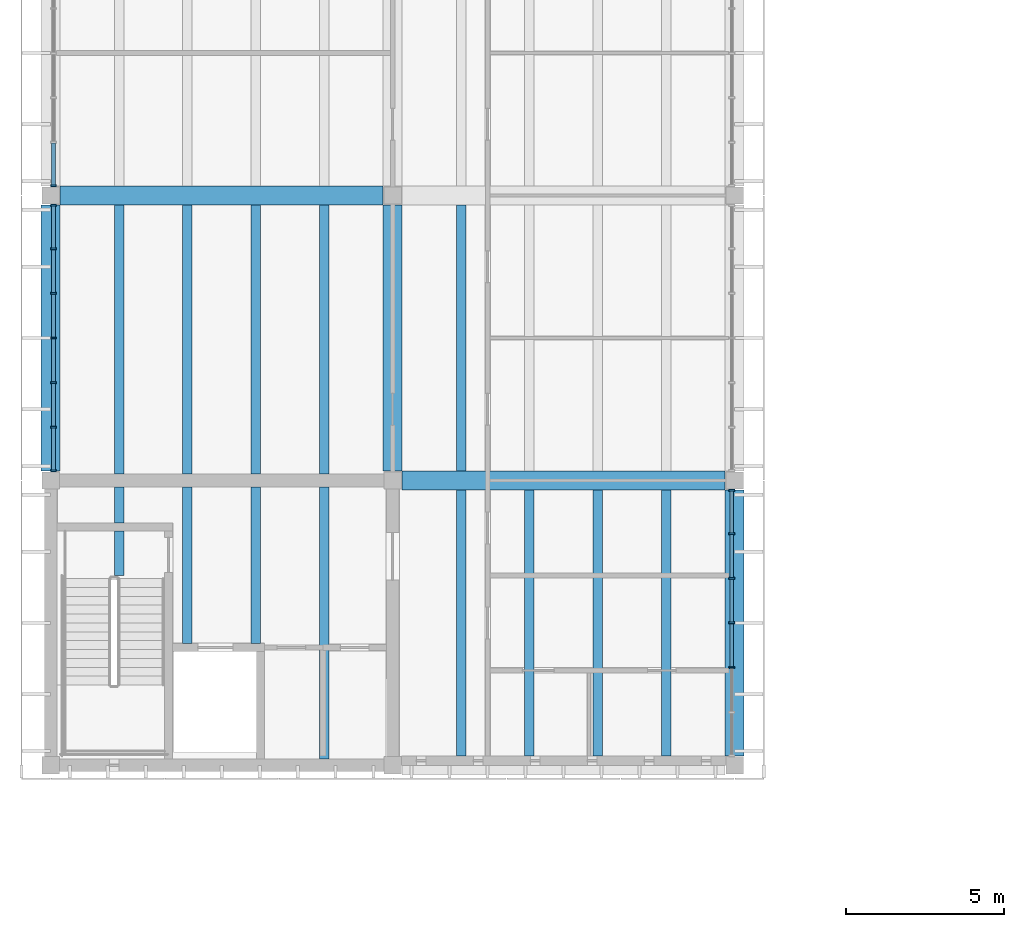
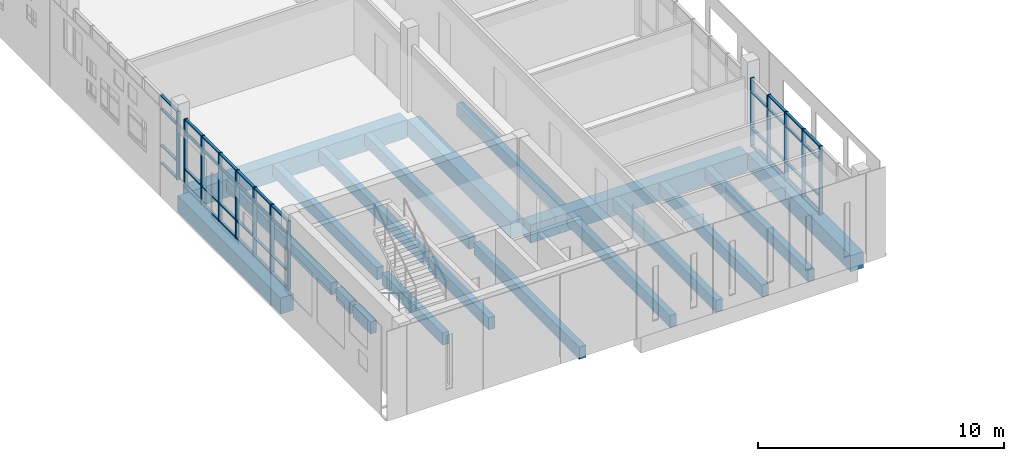
# One storey, part 13 of 74: 56 members, 19 beams, 3 elements without a shape of their own.
"""IFC4 building model written with IfcOpenShell, lengths in metres."""

import ifcopenshell
import ifcopenshell.guid

model = None  # the IFC model being written
_history = None  # IfcOwnerHistory: only IFC2X3 demands one
_inside = {}  # id of a spatial element -> (the spatial element, [elements in it])
_under = {}  # id of a project, library or spatial element -> (it, [spatial elements below it])
_declared = {}  # id of a project -> (the project, [libraries it declares])
_typed = {}  # id of a type object -> (the type object, [elements of that type])
_made_of = {}  # id of a material, layer set ... -> (it, [elements and type objects made of it])


def new_model(schema):
    """Start an empty IFC model of exactly this schema.

    Asked for "IFC4X3", IfcOpenShell would pick the latest addendum, in which some entities
    have other attributes; the version numbers below select the first issue.
    IFC2X3 requires an IfcOwnerHistory on every rooted entity: one is made here for all.
    """
    global model, _history
    if schema == "IFC4X3":
        model = ifcopenshell.file(schema_version=(4, 3, 0, 0))
    else:
        model = ifcopenshell.file(schema=schema)
    _inside.clear()
    _under.clear()
    _declared.clear()
    _typed.clear()
    _made_of.clear()
    _history = None
    if model.schema == "IFC2X3":
        org = make("IfcOrganization", Name="unknown")
        user = make(
            "IfcPersonAndOrganization",
            ThePerson=make("IfcPerson", FamilyName="unknown"),
            TheOrganization=org,
        )
        app = make(
            "IfcApplication",
            ApplicationDeveloper=org,
            Version="unknown",
            ApplicationFullName="unknown",
            ApplicationIdentifier="unknown",
        )
        _history = make(
            "IfcOwnerHistory",
            OwningUser=user,
            OwningApplication=app,
            ChangeAction="ADDED",
            CreationDate=0,
        )
    return model


def make(cls, **values):
    """One entity of the class cls with the attributes given. An attribute that is None is left unset."""
    return model.create_entity(
        cls, **{name: value for name, value in values.items() if value is not None}
    )


def rooted(cls, **values):
    """An entity with a GlobalId (a new one), such as an element, a storey or a relation."""
    return make(cls, GlobalId=ifcopenshell.guid.new(), OwnerHistory=_history, **values)


def si_unit(unit_type, name, prefix=None):
    """IfcSIUnit, for example si_unit("LENGTHUNIT", "METRE", prefix="MILLI")."""
    return make("IfcSIUnit", UnitType=unit_type, Prefix=prefix, Name=name)


def assignment(units):
    """IfcUnitAssignment: the units of a project."""
    return None if units is None else make("IfcUnitAssignment", Units=units)


def point(xyz):
    """IfcCartesianPoint."""
    return None if xyz is None else make("IfcCartesianPoint", Coordinates=xyz)


def direction(xyz):
    """IfcDirection."""
    return None if xyz is None else make("IfcDirection", DirectionRatios=xyz)


def frame(location, z_axis=None, x_axis=None):
    """IfcAxis2Placement3D, a coordinate frame: its origin and axes. An axis left out is left unset."""
    return make(
        "IfcAxis2Placement3D",
        Location=point(location),
        Axis=direction(z_axis),
        RefDirection=direction(x_axis),
    )


def frame_2d(location, x_axis=None):
    """IfcAxis2Placement2D, a coordinate frame in the plane: its origin and x axis."""
    return make(
        "IfcAxis2Placement2D", Location=point(location), RefDirection=direction(x_axis)
    )


def origin():
    """The frame at (0, 0, 0) with its axes left unset."""
    return frame((0.0, 0.0, 0.0))


def origin_2d():
    """The frame at (0, 0) in the plane with its x axis left unset."""
    return frame_2d((0.0, 0.0))


def place(relative_to, where):
    """IfcLocalPlacement: puts the frame where relative to a parent placement (None: the world)."""
    return make(
        "IfcLocalPlacement", PlacementRelTo=relative_to, RelativePlacement=where
    )


def context(
    kind, dimensions, precision=None, world=None, true_north=None, identifier=None
):
    """IfcGeometricRepresentationContext, for example the 3D "Model" context."""
    return make(
        "IfcGeometricRepresentationContext",
        ContextIdentifier=identifier,
        ContextType=kind,
        CoordinateSpaceDimension=dimensions,
        Precision=precision,
        WorldCoordinateSystem=world,
        TrueNorth=true_north,
    )


def subcontext(parent, identifier, kind, view, scale=None):
    """IfcGeometricRepresentationSubContext, for example "Body" below "Model"."""
    return make(
        "IfcGeometricRepresentationSubContext",
        ContextIdentifier=identifier,
        ContextType=kind,
        ParentContext=parent,
        TargetScale=scale,
        TargetView=view,
    )


def project(units=None, contexts=None):
    """IfcProject with its units and contexts."""
    return rooted(
        "IfcProject",
        Name="project",
        RepresentationContexts=contexts,
        UnitsInContext=assignment(units),
    )


def spatial(cls, under=None, at=None, **own):
    """A site, building, storey or space (cls), placed at a placement, below another one or the project."""
    s = rooted(cls, ObjectPlacement=at, **own)
    if under is not None:
        _under.setdefault(under.id(), (under, []))[1].append(s)
    return s


def profile(cls, at=None, kind="AREA", **sizes):
    """A parametric profile (cls). Its sizes go by their IFC names, for example OverallWidth=200.0."""
    return make(cls, ProfileType=kind, Position=at, **sizes)


def rectangle(**sizes):
    """IfcRectangleProfileDef."""
    return profile("IfcRectangleProfileDef", **sizes)


def extrude(swept, where, along, depth):
    """IfcExtrudedAreaSolid: the profile swept, set in the frame where, extruded along a direction by depth."""
    return make(
        "IfcExtrudedAreaSolid",
        SweptArea=swept,
        Position=where,
        ExtrudedDirection=direction(along),
        Depth=depth,
    )


def shape(context_of_items, identifier, shape_type, items):
    """IfcShapeRepresentation: the items that make up one representation, for example the "Body"."""
    return make(
        "IfcShapeRepresentation",
        ContextOfItems=context_of_items,
        RepresentationIdentifier=identifier,
        RepresentationType=shape_type,
        Items=items,
    )


def material(Name=None, Category=None):
    """IfcMaterial."""
    return make("IfcMaterial", Name=Name, Category=Category)


def material_profile(
    of_material, cross_section, Name=None, Category=None, Priority=None
):
    """IfcMaterialProfile: a cross section and its material."""
    return make(
        "IfcMaterialProfile",
        Name=Name,
        Material=of_material,
        Profile=cross_section,
        Priority=Priority,
        Category=Category,
    )


def profile_set(profiles, Name=None, composite=None):
    """IfcMaterialProfileSet."""
    return make(
        "IfcMaterialProfileSet",
        Name=Name,
        MaterialProfiles=profiles,
        CompositeProfile=composite,
    )


def made_of(thing, what):
    """Note that an element or type object is made of a material, layer set ...; save() writes the relation."""
    if what is not None:
        _made_of.setdefault(what.id(), (what, []))[1].append(thing)
    return thing


def type_object(cls, material=None, **own):
    """A type object (cls), such as IfcWallType, which elements share."""
    return made_of(rooted(cls, **own), material)


def element(
    cls,
    number,
    at=None,
    inside=None,
    cuts=None,
    type_object=None,
    material=None,
    context=None,
    identifier="Body",
    shape_type=None,
    held_by="IfcProductDefinitionShape",
    body=None,
    shapes=None,
    **own,
):
    """One element of the class cls, such as IfcWall. Its Tag is "e" and its number.

    at: its placement. inside: the storey or other place that contains it. cuts: it is an
    opening in that element (IfcRelVoidsElement). A single representation is given by context,
    identifier, shape_type and body (its items); several are given by shapes. held_by: the class
    of the entity that holds the representations. save() writes the other relations.
    """
    e = rooted(cls, Tag="e%d" % number, ObjectPlacement=at, **own)
    if body is not None:
        shapes = [shape(context, identifier, shape_type, body)]
    if shapes is not None:
        e.Representation = make(held_by, Representations=shapes)
    if inside is not None:
        _inside.setdefault(inside.id(), (inside, []))[1].append(e)
    if cuts is not None:
        rooted(
            "IfcRelVoidsElement", RelatingBuildingElement=cuts, RelatedOpeningElement=e
        )
    if type_object is not None:
        _typed.setdefault(type_object.id(), (type_object, []))[1].append(e)
    return made_of(e, material)


def aggregate(whole, parts):
    """IfcRelAggregates: a whole, such as a stair, and the parts it consists of."""
    return rooted("IfcRelAggregates", RelatingObject=whole, RelatedObjects=parts)


def save(model, path):
    """Write the relations noted so far, then the file.

    IfcRelAggregates (storeys below a building ...), IfcRelContainedInSpatialStructure (elements
    in a storey), IfcRelDefinesByType, IfcRelAssociatesMaterial and IfcRelDeclares: one each for
    every whole, place, type object, material and project.
    """
    for whole, parts in _under.values():
        aggregate(whole, parts)
    for where, things in _inside.values():
        rooted(
            "IfcRelContainedInSpatialStructure",
            RelatedElements=things,
            RelatingStructure=where,
        )
    for kind, things in _typed.values():
        rooted("IfcRelDefinesByType", RelatedObjects=things, RelatingType=kind)
    for what, things in _made_of.values():
        rooted("IfcRelAssociatesMaterial", RelatedObjects=things, RelatingMaterial=what)
    for by, libraries in _declared.values():
        rooted("IfcRelDeclares", RelatingContext=by, RelatedDefinitions=libraries)
    model.write(path)


model = new_model("IFC4")

# Units and contexts
model_context = context("Model", 3, precision=1e-05, world=origin(), true_north=direction((0.0, 1.0)))
body_context = subcontext(model_context, "Body", "Model", "MODEL_VIEW")
ifc_project = project(units=[si_unit("LENGTHUNIT", "METRE"), si_unit("AREAUNIT", "SQUARE_METRE"), si_unit("VOLUMEUNIT", "CUBIC_METRE"), si_unit("PLANEANGLEUNIT", "RADIAN"), si_unit("MASSUNIT", "GRAM", prefix="KILO")], contexts=[model_context])

# Site, building, storey
site_placement = place(None, origin())
site = spatial("IfcSite", under=ifc_project, at=site_placement, CompositionType="ELEMENT")
building_placement = place(site_placement, origin())
building = spatial("IfcBuilding", under=site, at=building_placement, Name="Merrow Basin Faculty of Sciences", CompositionType="ELEMENT")
storey_placement = place(building_placement, frame((0.0, 0.0, 13.5)))
storey = spatial("IfcBuildingStorey", under=building, at=storey_placement, Name="L03", CompositionType="ELEMENT", Elevation=13.5)

# Curtain wall, members
ifc_material_1 = material(Name="Aluminium alloy 6063", Category="aluminium")
curtain_wall_type = type_object("IfcCurtainWallType", Name="Bar unitised curtain wall 180", PredefinedType="NOTDEFINED", material=ifc_material_1)
curtain_wall_1_placement = place(storey_placement, origin())
curtain_wall_1 = element("IfcCurtainWall", 1, at=curtain_wall_1_placement, inside=storey, type_object=curtain_wall_type, Name="West curtain wall L03 1", PredefinedType="NOTDEFINED")
ifc_material_2 = material(Name="Aluminium alloy 6063", Category="aluminium")
ifc_material_profile_1 = material_profile(ifc_material_2, rectangle(XDim=0.179931640625, YDim=0.06005859375, at=origin_2d()))
ifc_profile_set_1 = profile_set([ifc_material_profile_1], Name="Aluminium alloy 6063")
member_type_1 = type_object("IfcMemberType", Name="Aluminium mullion 60x180", PredefinedType="MULLION", material=ifc_profile_set_1)
member_1_placement = place(storey_placement, frame((0.090087890625, 70.304931640625, 0.0), z_axis=(0.0, 0.0, 1.0), x_axis=(-1.0, 0.0, 0.0)))
member_1 = element("IfcMember", 2, at=member_1_placement, type_object=member_type_1, Name="CW1 mullion 1", PredefinedType="MULLION", context=body_context, shape_type="SweptSolid", body=[
    extrude(rectangle(XDim=0.179931640625, YDim=0.06005859375, at=origin_2d()), origin(), (0.0, 0.0, 1.0), 3.39990234375),
])
member_2_placement = place(storey_placement, frame((0.090087890625, 71.683349609375, 0.0), z_axis=(0.0, 0.0, 1.0), x_axis=(-1.0, 0.0, 0.0)))
member_2 = element("IfcMember", 3, at=member_2_placement, type_object=member_type_1, Name="CW1 mullion 2", PredefinedType="MULLION", context=body_context, shape_type="SweptSolid", body=[
    extrude(rectangle(XDim=0.179931640625, YDim=0.06005859375, at=origin_2d()), origin(), (0.0, 0.0, 1.0), 3.39990234375),
])
member_3_placement = place(storey_placement, frame((0.090087890625, 73.091552734375, 0.0), z_axis=(0.0, 0.0, 1.0), x_axis=(-1.0, 0.0, 0.0)))
member_3 = element("IfcMember", 4, at=member_3_placement, type_object=member_type_1, Name="CW1 mullion 3", PredefinedType="MULLION", context=body_context, shape_type="SweptSolid", body=[
    extrude(rectangle(XDim=0.179931640625, YDim=0.06005859375, at=origin_2d()), origin(), (0.0, 0.0, 1.0), 3.39990234375),
])
member_4_placement = place(storey_placement, frame((0.090087890625, 74.5, 0.0), z_axis=(0.0, 0.0, 1.0), x_axis=(-1.0, 0.0, 0.0)))
member_4 = element("IfcMember", 5, at=member_4_placement, type_object=member_type_1, Name="CW1 mullion 4", PredefinedType="MULLION", context=body_context, shape_type="SweptSolid", body=[
    extrude(rectangle(XDim=0.179931640625, YDim=0.06005859375, at=origin_2d()), origin(), (0.0, 0.0, 1.0), 3.39990234375),
])
member_5_placement = place(storey_placement, frame((0.090087890625, 75.908447265625, 0.0), z_axis=(0.0, 0.0, 1.0), x_axis=(-1.0, 0.0, 0.0)))
member_5 = element("IfcMember", 6, at=member_5_placement, type_object=member_type_1, Name="CW1 mullion 5", PredefinedType="MULLION", context=body_context, shape_type="SweptSolid", body=[
    extrude(rectangle(XDim=0.179931640625, YDim=0.06005859375, at=origin_2d()), origin(), (0.0, 0.0, 1.0), 3.39990234375),
])
member_6_placement = place(storey_placement, frame((0.090087890625, 77.316650390625, 0.0), z_axis=(0.0, 0.0, 1.0), x_axis=(-1.0, 0.0, 0.0)))
member_6 = element("IfcMember", 7, at=member_6_placement, type_object=member_type_1, Name="CW1 mullion 6", PredefinedType="MULLION", context=body_context, shape_type="SweptSolid", body=[
    extrude(rectangle(XDim=0.179931640625, YDim=0.06005859375, at=origin_2d()), origin(), (0.0, 0.0, 1.0), 3.39990234375),
])
member_7_placement = place(storey_placement, frame((0.090087890625, 78.695068359375, 0.0), z_axis=(0.0, 0.0, 1.0), x_axis=(-1.0, 0.0, 0.0)))
member_7 = element("IfcMember", 8, at=member_7_placement, type_object=member_type_1, Name="CW1 mullion 7", PredefinedType="MULLION", context=body_context, shape_type="SweptSolid", body=[
    extrude(rectangle(XDim=0.179931640625, YDim=0.06005859375, at=origin_2d()), origin(), (0.0, 0.0, 1.0), 3.39990234375),
])

# Curtain wall, member
curtain_wall_2_placement = place(storey_placement, origin())
curtain_wall_2 = element("IfcCurtainWall", 9, at=curtain_wall_2_placement, inside=storey, type_object=curtain_wall_type, Name="West curtain wall L03 2", PredefinedType="NOTDEFINED")
member_8_placement = place(storey_placement, frame((0.090087890625, 79.304931640625, 0.0), z_axis=(0.0, 0.0, 1.0), x_axis=(-1.0, 0.0, 0.0)))
member_8 = element("IfcMember", 10, at=member_8_placement, type_object=member_type_1, Name="CW1 mullion 1", PredefinedType="MULLION", context=body_context, shape_type="SweptSolid", body=[
    extrude(rectangle(XDim=0.179931640625, YDim=0.06005859375, at=origin_2d()), origin(), (0.0, 0.0, 1.0), 3.39990234375),
])

# Curtain wall, members
curtain_wall_3_placement = place(storey_placement, origin())
curtain_wall_3 = element("IfcCurtainWall", 11, at=curtain_wall_3_placement, inside=storey, type_object=curtain_wall_type, Name="East curtain wall L03 1", PredefinedType="NOTDEFINED")
member_9_placement = place(storey_placement, frame((21.510009765625, 64.091552734375, 0.0), z_axis=(0.0, 0.0, 1.0), x_axis=(-1.0, 0.0, 0.0)))
member_9 = element("IfcMember", 12, at=member_9_placement, type_object=member_type_1, Name="CW1 mullion 3", PredefinedType="MULLION", context=body_context, shape_type="SweptSolid", body=[
    extrude(rectangle(XDim=0.179931640625, YDim=0.06005859375, at=origin_2d()), origin(), (0.0, 0.0, 1.0), 3.39990234375),
])
member_10_placement = place(storey_placement, frame((21.510009765625, 65.5, 0.0), z_axis=(0.0, 0.0, 1.0), x_axis=(-1.0, 0.0, 0.0)))
member_10 = element("IfcMember", 13, at=member_10_placement, type_object=member_type_1, Name="CW1 mullion 4", PredefinedType="MULLION", context=body_context, shape_type="SweptSolid", body=[
    extrude(rectangle(XDim=0.179931640625, YDim=0.06005859375, at=origin_2d()), origin(), (0.0, 0.0, 1.0), 3.39990234375),
])
member_11_placement = place(storey_placement, frame((21.510009765625, 66.908447265625, 0.0), z_axis=(0.0, 0.0, 1.0), x_axis=(-1.0, 0.0, 0.0)))
member_11 = element("IfcMember", 14, at=member_11_placement, type_object=member_type_1, Name="CW1 mullion 5", PredefinedType="MULLION", context=body_context, shape_type="SweptSolid", body=[
    extrude(rectangle(XDim=0.179931640625, YDim=0.06005859375, at=origin_2d()), origin(), (0.0, 0.0, 1.0), 3.39990234375),
])
member_12_placement = place(storey_placement, frame((21.510009765625, 68.316650390625, 0.0), z_axis=(0.0, 0.0, 1.0), x_axis=(-1.0, 0.0, 0.0)))
member_12 = element("IfcMember", 15, at=member_12_placement, type_object=member_type_1, Name="CW1 mullion 6", PredefinedType="MULLION", context=body_context, shape_type="SweptSolid", body=[
    extrude(rectangle(XDim=0.179931640625, YDim=0.06005859375, at=origin_2d()), origin(), (0.0, 0.0, 1.0), 3.39990234375),
])
member_13_placement = place(storey_placement, frame((21.510009765625, 69.695068359375, 0.0), z_axis=(0.0, 0.0, 1.0), x_axis=(-1.0, 0.0, 0.0)))
member_13 = element("IfcMember", 16, at=member_13_placement, type_object=member_type_1, Name="CW1 mullion 7", PredefinedType="MULLION", context=body_context, shape_type="SweptSolid", body=[
    extrude(rectangle(XDim=0.179931640625, YDim=0.06005859375, at=origin_2d()), origin(), (0.0, 0.0, 1.0), 3.39990234375),
])

# Member
ifc_material_3 = material(Name="Aluminium alloy 6063", Category="aluminium")
ifc_material_profile_2 = material_profile(ifc_material_3, rectangle(XDim=0.1201171875, YDim=0.06005859375, at=origin_2d()))
ifc_profile_set_2 = profile_set([ifc_material_profile_2], Name="Aluminium alloy 6063")
member_type_2 = type_object("IfcMemberType", Name="Aluminium transom 60x120", PredefinedType="USERDEFINED", material=ifc_profile_set_2)
member_14_placement = place(storey_placement, frame((0.090087890625, 70.3349609375, 0.030029296875), z_axis=(0.0, 1.0, 0.0), x_axis=(-1.0, 0.0, 0.0)))
member_14 = element("IfcMember", 17, at=member_14_placement, type_object=member_type_2, Name="CW1 transom 1.1", ObjectType="TRANSOM", PredefinedType="USERDEFINED", context=body_context, shape_type="SweptSolid", body=[
    extrude(rectangle(XDim=0.1201171875, YDim=0.06005859375, at=origin_2d()), origin(), (0.0, 0.0, 1.0), 1.318359375),
])

member_15_placement = place(storey_placement, frame((0.090087890625, 70.3349609375, 0.89990234375), z_axis=(0.0, 1.0, 0.0), x_axis=(-1.0, 0.0, 0.0)))
member_15 = element("IfcMember", 18, at=member_15_placement, type_object=member_type_2, Name="CW1 transom 1.2", ObjectType="TRANSOM", PredefinedType="USERDEFINED", context=body_context, shape_type="SweptSolid", body=[
    extrude(rectangle(XDim=0.1201171875, YDim=0.06005859375, at=origin_2d()), origin(), (0.0, 0.0, 1.0), 1.318359375),
])

member_16_placement = place(storey_placement, frame((0.090087890625, 70.3349609375, 2.699951171875), z_axis=(0.0, 1.0, 0.0), x_axis=(-1.0, 0.0, 0.0)))
member_16 = element("IfcMember", 19, at=member_16_placement, type_object=member_type_2, Name="CW1 transom 1.3", ObjectType="TRANSOM", PredefinedType="USERDEFINED", context=body_context, shape_type="SweptSolid", body=[
    extrude(rectangle(XDim=0.1201171875, YDim=0.06005859375, at=origin_2d()), origin(), (0.0, 0.0, 1.0), 1.318359375),
])

member_17_placement = place(storey_placement, frame((0.090087890625, 70.3349609375, 3.3701171875), z_axis=(0.0, 1.0, 0.0), x_axis=(-1.0, 0.0, 0.0)))
member_17 = element("IfcMember", 20, at=member_17_placement, type_object=member_type_2, Name="CW1 transom 1.4", ObjectType="TRANSOM", PredefinedType="USERDEFINED", context=body_context, shape_type="SweptSolid", body=[
    extrude(rectangle(XDim=0.1201171875, YDim=0.06005859375, at=origin_2d()), origin(), (0.0, 0.0, 1.0), 1.318359375),
])

member_18_placement = place(storey_placement, frame((0.090087890625, 71.71337890625, 0.030029296875), z_axis=(0.0, 1.0, 0.0), x_axis=(-1.0, 0.0, 0.0)))
member_18 = element("IfcMember", 21, at=member_18_placement, type_object=member_type_2, Name="CW1 transom 2.1", ObjectType="TRANSOM", PredefinedType="USERDEFINED", context=body_context, shape_type="SweptSolid", body=[
    extrude(rectangle(XDim=0.1201171875, YDim=0.06005859375, at=origin_2d()), origin(), (0.0, 0.0, 1.0), 1.348388671875),
])

member_19_placement = place(storey_placement, frame((0.090087890625, 71.71337890625, 0.89990234375), z_axis=(0.0, 1.0, 0.0), x_axis=(-1.0, 0.0, 0.0)))
member_19 = element("IfcMember", 22, at=member_19_placement, type_object=member_type_2, Name="CW1 transom 2.2", ObjectType="TRANSOM", PredefinedType="USERDEFINED", context=body_context, shape_type="SweptSolid", body=[
    extrude(rectangle(XDim=0.1201171875, YDim=0.06005859375, at=origin_2d()), origin(), (0.0, 0.0, 1.0), 1.348388671875),
])

member_20_placement = place(storey_placement, frame((0.090087890625, 71.71337890625, 2.699951171875), z_axis=(0.0, 1.0, 0.0), x_axis=(-1.0, 0.0, 0.0)))
member_20 = element("IfcMember", 23, at=member_20_placement, type_object=member_type_2, Name="CW1 transom 2.3", ObjectType="TRANSOM", PredefinedType="USERDEFINED", context=body_context, shape_type="SweptSolid", body=[
    extrude(rectangle(XDim=0.1201171875, YDim=0.06005859375, at=origin_2d()), origin(), (0.0, 0.0, 1.0), 1.348388671875),
])

member_21_placement = place(storey_placement, frame((0.090087890625, 71.71337890625, 3.3701171875), z_axis=(0.0, 1.0, 0.0), x_axis=(-1.0, 0.0, 0.0)))
member_21 = element("IfcMember", 24, at=member_21_placement, type_object=member_type_2, Name="CW1 transom 2.4", ObjectType="TRANSOM", PredefinedType="USERDEFINED", context=body_context, shape_type="SweptSolid", body=[
    extrude(rectangle(XDim=0.1201171875, YDim=0.06005859375, at=origin_2d()), origin(), (0.0, 0.0, 1.0), 1.348388671875),
])

member_22_placement = place(storey_placement, frame((0.090087890625, 73.12158203125, 0.030029296875), z_axis=(0.0, 1.0, 0.0), x_axis=(-1.0, 0.0, 0.0)))
member_22 = element("IfcMember", 25, at=member_22_placement, type_object=member_type_2, Name="CW1 transom 3.1", ObjectType="TRANSOM", PredefinedType="USERDEFINED", context=body_context, shape_type="SweptSolid", body=[
    extrude(rectangle(XDim=0.1201171875, YDim=0.06005859375, at=origin_2d()), origin(), (0.0, 0.0, 1.0), 1.348388671875),
])

member_23_placement = place(storey_placement, frame((0.090087890625, 73.12158203125, 0.89990234375), z_axis=(0.0, 1.0, 0.0), x_axis=(-1.0, 0.0, 0.0)))
member_23 = element("IfcMember", 26, at=member_23_placement, type_object=member_type_2, Name="CW1 transom 3.2", ObjectType="TRANSOM", PredefinedType="USERDEFINED", context=body_context, shape_type="SweptSolid", body=[
    extrude(rectangle(XDim=0.1201171875, YDim=0.06005859375, at=origin_2d()), origin(), (0.0, 0.0, 1.0), 1.348388671875),
])

member_24_placement = place(storey_placement, frame((0.090087890625, 73.12158203125, 2.699951171875), z_axis=(0.0, 1.0, 0.0), x_axis=(-1.0, 0.0, 0.0)))
member_24 = element("IfcMember", 27, at=member_24_placement, type_object=member_type_2, Name="CW1 transom 3.3", ObjectType="TRANSOM", PredefinedType="USERDEFINED", context=body_context, shape_type="SweptSolid", body=[
    extrude(rectangle(XDim=0.1201171875, YDim=0.06005859375, at=origin_2d()), origin(), (0.0, 0.0, 1.0), 1.348388671875),
])

member_25_placement = place(storey_placement, frame((0.090087890625, 73.12158203125, 3.3701171875), z_axis=(0.0, 1.0, 0.0), x_axis=(-1.0, 0.0, 0.0)))
member_25 = element("IfcMember", 28, at=member_25_placement, type_object=member_type_2, Name="CW1 transom 3.4", ObjectType="TRANSOM", PredefinedType="USERDEFINED", context=body_context, shape_type="SweptSolid", body=[
    extrude(rectangle(XDim=0.1201171875, YDim=0.06005859375, at=origin_2d()), origin(), (0.0, 0.0, 1.0), 1.348388671875),
])

member_26_placement = place(storey_placement, frame((0.090087890625, 74.530029296875, 0.030029296875), z_axis=(0.0, 1.0, 0.0), x_axis=(-1.0, 0.0, 0.0)))
member_26 = element("IfcMember", 29, at=member_26_placement, type_object=member_type_2, Name="CW1 transom 4.1", ObjectType="TRANSOM", PredefinedType="USERDEFINED", context=body_context, shape_type="SweptSolid", body=[
    extrude(rectangle(XDim=0.1201171875, YDim=0.06005859375, at=origin_2d()), origin(), (0.0, 0.0, 1.0), 1.348388671875),
])

member_27_placement = place(storey_placement, frame((0.090087890625, 74.530029296875, 0.89990234375), z_axis=(0.0, 1.0, 0.0), x_axis=(-1.0, 0.0, 0.0)))
member_27 = element("IfcMember", 30, at=member_27_placement, type_object=member_type_2, Name="CW1 transom 4.2", ObjectType="TRANSOM", PredefinedType="USERDEFINED", context=body_context, shape_type="SweptSolid", body=[
    extrude(rectangle(XDim=0.1201171875, YDim=0.06005859375, at=origin_2d()), origin(), (0.0, 0.0, 1.0), 1.348388671875),
])

member_28_placement = place(storey_placement, frame((0.090087890625, 74.530029296875, 2.699951171875), z_axis=(0.0, 1.0, 0.0), x_axis=(-1.0, 0.0, 0.0)))
member_28 = element("IfcMember", 31, at=member_28_placement, type_object=member_type_2, Name="CW1 transom 4.3", ObjectType="TRANSOM", PredefinedType="USERDEFINED", context=body_context, shape_type="SweptSolid", body=[
    extrude(rectangle(XDim=0.1201171875, YDim=0.06005859375, at=origin_2d()), origin(), (0.0, 0.0, 1.0), 1.348388671875),
])

member_29_placement = place(storey_placement, frame((0.090087890625, 74.530029296875, 3.3701171875), z_axis=(0.0, 1.0, 0.0), x_axis=(-1.0, 0.0, 0.0)))
member_29 = element("IfcMember", 32, at=member_29_placement, type_object=member_type_2, Name="CW1 transom 4.4", ObjectType="TRANSOM", PredefinedType="USERDEFINED", context=body_context, shape_type="SweptSolid", body=[
    extrude(rectangle(XDim=0.1201171875, YDim=0.06005859375, at=origin_2d()), origin(), (0.0, 0.0, 1.0), 1.348388671875),
])

member_30_placement = place(storey_placement, frame((0.090087890625, 75.938232421875, 0.030029296875), z_axis=(0.0, 1.0, 0.0), x_axis=(-1.0, 0.0, 0.0)))
member_30 = element("IfcMember", 33, at=member_30_placement, type_object=member_type_2, Name="CW1 transom 5.1", ObjectType="TRANSOM", PredefinedType="USERDEFINED", context=body_context, shape_type="SweptSolid", body=[
    extrude(rectangle(XDim=0.1201171875, YDim=0.06005859375, at=origin_2d()), origin(), (0.0, 0.0, 1.0), 1.348388671875),
])

member_31_placement = place(storey_placement, frame((0.090087890625, 75.938232421875, 0.89990234375), z_axis=(0.0, 1.0, 0.0), x_axis=(-1.0, 0.0, 0.0)))
member_31 = element("IfcMember", 34, at=member_31_placement, type_object=member_type_2, Name="CW1 transom 5.2", ObjectType="TRANSOM", PredefinedType="USERDEFINED", context=body_context, shape_type="SweptSolid", body=[
    extrude(rectangle(XDim=0.1201171875, YDim=0.06005859375, at=origin_2d()), origin(), (0.0, 0.0, 1.0), 1.348388671875),
])

member_32_placement = place(storey_placement, frame((0.090087890625, 75.938232421875, 2.699951171875), z_axis=(0.0, 1.0, 0.0), x_axis=(-1.0, 0.0, 0.0)))
member_32 = element("IfcMember", 35, at=member_32_placement, type_object=member_type_2, Name="CW1 transom 5.3", ObjectType="TRANSOM", PredefinedType="USERDEFINED", context=body_context, shape_type="SweptSolid", body=[
    extrude(rectangle(XDim=0.1201171875, YDim=0.06005859375, at=origin_2d()), origin(), (0.0, 0.0, 1.0), 1.348388671875),
])

member_33_placement = place(storey_placement, frame((0.090087890625, 75.938232421875, 3.3701171875), z_axis=(0.0, 1.0, 0.0), x_axis=(-1.0, 0.0, 0.0)))
member_33 = element("IfcMember", 36, at=member_33_placement, type_object=member_type_2, Name="CW1 transom 5.4", ObjectType="TRANSOM", PredefinedType="USERDEFINED", context=body_context, shape_type="SweptSolid", body=[
    extrude(rectangle(XDim=0.1201171875, YDim=0.06005859375, at=origin_2d()), origin(), (0.0, 0.0, 1.0), 1.348388671875),
])

member_34_placement = place(storey_placement, frame((0.090087890625, 77.3466796875, 0.030029296875), z_axis=(0.0, 1.0, 0.0), x_axis=(-1.0, 0.0, 0.0)))
member_34 = element("IfcMember", 37, at=member_34_placement, type_object=member_type_2, Name="CW1 transom 6.1", ObjectType="TRANSOM", PredefinedType="USERDEFINED", context=body_context, shape_type="SweptSolid", body=[
    extrude(rectangle(XDim=0.1201171875, YDim=0.06005859375, at=origin_2d()), origin(), (0.0, 0.0, 1.0), 1.318359375),
])

member_35_placement = place(storey_placement, frame((0.090087890625, 77.3466796875, 0.89990234375), z_axis=(0.0, 1.0, 0.0), x_axis=(-1.0, 0.0, 0.0)))
member_35 = element("IfcMember", 38, at=member_35_placement, type_object=member_type_2, Name="CW1 transom 6.2", ObjectType="TRANSOM", PredefinedType="USERDEFINED", context=body_context, shape_type="SweptSolid", body=[
    extrude(rectangle(XDim=0.1201171875, YDim=0.06005859375, at=origin_2d()), origin(), (0.0, 0.0, 1.0), 1.318359375),
])

member_36_placement = place(storey_placement, frame((0.090087890625, 77.3466796875, 2.699951171875), z_axis=(0.0, 1.0, 0.0), x_axis=(-1.0, 0.0, 0.0)))
member_36 = element("IfcMember", 39, at=member_36_placement, type_object=member_type_2, Name="CW1 transom 6.3", ObjectType="TRANSOM", PredefinedType="USERDEFINED", context=body_context, shape_type="SweptSolid", body=[
    extrude(rectangle(XDim=0.1201171875, YDim=0.06005859375, at=origin_2d()), origin(), (0.0, 0.0, 1.0), 1.318359375),
])

member_37_placement = place(storey_placement, frame((0.090087890625, 77.3466796875, 3.3701171875), z_axis=(0.0, 1.0, 0.0), x_axis=(-1.0, 0.0, 0.0)))
member_37 = element("IfcMember", 40, at=member_37_placement, type_object=member_type_2, Name="CW1 transom 6.4", ObjectType="TRANSOM", PredefinedType="USERDEFINED", context=body_context, shape_type="SweptSolid", body=[
    extrude(rectangle(XDim=0.1201171875, YDim=0.06005859375, at=origin_2d()), origin(), (0.0, 0.0, 1.0), 1.318359375),
])

aggregate(curtain_wall_1, [member_1, member_2, member_3, member_4, member_5, member_6, member_7, member_14, member_15, member_16, member_17, member_18, member_19, member_20, member_21, member_22, member_23, member_24, member_25, member_26, member_27, member_28, member_29, member_30, member_31, member_32, member_33, member_34, member_35, member_36, member_37])

member_38_placement = place(storey_placement, frame((0.090087890625, 79.3349609375, 0.030029296875), z_axis=(0.0, 1.0, 0.0), x_axis=(-1.0, 0.0, 0.0)))
member_38 = element("IfcMember", 41, at=member_38_placement, type_object=member_type_2, Name="CW1 transom 1.1", ObjectType="TRANSOM", PredefinedType="USERDEFINED", context=body_context, shape_type="SweptSolid", body=[
    extrude(rectangle(XDim=0.1201171875, YDim=0.06005859375, at=origin_2d()), origin(), (0.0, 0.0, 1.0), 1.318359375),
])

member_39_placement = place(storey_placement, frame((0.090087890625, 79.3349609375, 0.89990234375), z_axis=(0.0, 1.0, 0.0), x_axis=(-1.0, 0.0, 0.0)))
member_39 = element("IfcMember", 42, at=member_39_placement, type_object=member_type_2, Name="CW1 transom 1.2", ObjectType="TRANSOM", PredefinedType="USERDEFINED", context=body_context, shape_type="SweptSolid", body=[
    extrude(rectangle(XDim=0.1201171875, YDim=0.06005859375, at=origin_2d()), origin(), (0.0, 0.0, 1.0), 1.318359375),
])

member_40_placement = place(storey_placement, frame((0.090087890625, 79.3349609375, 2.699951171875), z_axis=(0.0, 1.0, 0.0), x_axis=(-1.0, 0.0, 0.0)))
member_40 = element("IfcMember", 43, at=member_40_placement, type_object=member_type_2, Name="CW1 transom 1.3", ObjectType="TRANSOM", PredefinedType="USERDEFINED", context=body_context, shape_type="SweptSolid", body=[
    extrude(rectangle(XDim=0.1201171875, YDim=0.06005859375, at=origin_2d()), origin(), (0.0, 0.0, 1.0), 1.318359375),
])

member_41_placement = place(storey_placement, frame((0.090087890625, 79.3349609375, 3.3701171875), z_axis=(0.0, 1.0, 0.0), x_axis=(-1.0, 0.0, 0.0)))
member_41 = element("IfcMember", 44, at=member_41_placement, type_object=member_type_2, Name="CW1 transom 1.4", ObjectType="TRANSOM", PredefinedType="USERDEFINED", context=body_context, shape_type="SweptSolid", body=[
    extrude(rectangle(XDim=0.1201171875, YDim=0.06005859375, at=origin_2d()), origin(), (0.0, 0.0, 1.0), 1.318359375),
])

aggregate(curtain_wall_2, [member_8, member_38, member_39, member_40, member_41])

member_42_placement = place(storey_placement, frame((21.510009765625, 64.12158203125, 0.030029296875), z_axis=(0.0, 1.0, 0.0), x_axis=(-1.0, 0.0, 0.0)))
member_42 = element("IfcMember", 45, at=member_42_placement, type_object=member_type_2, Name="CW1 transom 3.1", ObjectType="TRANSOM", PredefinedType="USERDEFINED", context=body_context, shape_type="SweptSolid", body=[
    extrude(rectangle(XDim=0.1201171875, YDim=0.06005859375, at=origin_2d()), origin(), (0.0, 0.0, 1.0), 1.348388671875),
])

member_43_placement = place(storey_placement, frame((21.510009765625, 64.12158203125, 0.89990234375), z_axis=(0.0, 1.0, 0.0), x_axis=(-1.0, 0.0, 0.0)))
member_43 = element("IfcMember", 46, at=member_43_placement, type_object=member_type_2, Name="CW1 transom 3.2", ObjectType="TRANSOM", PredefinedType="USERDEFINED", context=body_context, shape_type="SweptSolid", body=[
    extrude(rectangle(XDim=0.1201171875, YDim=0.06005859375, at=origin_2d()), origin(), (0.0, 0.0, 1.0), 1.348388671875),
])

member_44_placement = place(storey_placement, frame((21.510009765625, 64.12158203125, 2.699951171875), z_axis=(0.0, 1.0, 0.0), x_axis=(-1.0, 0.0, 0.0)))
member_44 = element("IfcMember", 47, at=member_44_placement, type_object=member_type_2, Name="CW1 transom 3.3", ObjectType="TRANSOM", PredefinedType="USERDEFINED", context=body_context, shape_type="SweptSolid", body=[
    extrude(rectangle(XDim=0.1201171875, YDim=0.06005859375, at=origin_2d()), origin(), (0.0, 0.0, 1.0), 1.348388671875),
])

member_45_placement = place(storey_placement, frame((21.510009765625, 64.12158203125, 3.3701171875), z_axis=(0.0, 1.0, 0.0), x_axis=(-1.0, 0.0, 0.0)))
member_45 = element("IfcMember", 48, at=member_45_placement, type_object=member_type_2, Name="CW1 transom 3.4", ObjectType="TRANSOM", PredefinedType="USERDEFINED", context=body_context, shape_type="SweptSolid", body=[
    extrude(rectangle(XDim=0.1201171875, YDim=0.06005859375, at=origin_2d()), origin(), (0.0, 0.0, 1.0), 1.348388671875),
])

member_46_placement = place(storey_placement, frame((21.510009765625, 65.530029296875, 0.030029296875), z_axis=(0.0, 1.0, 0.0), x_axis=(-1.0, 0.0, 0.0)))
member_46 = element("IfcMember", 49, at=member_46_placement, type_object=member_type_2, Name="CW1 transom 4.1", ObjectType="TRANSOM", PredefinedType="USERDEFINED", context=body_context, shape_type="SweptSolid", body=[
    extrude(rectangle(XDim=0.1201171875, YDim=0.06005859375, at=origin_2d()), origin(), (0.0, 0.0, 1.0), 1.348388671875),
])

member_47_placement = place(storey_placement, frame((21.510009765625, 65.530029296875, 0.89990234375), z_axis=(0.0, 1.0, 0.0), x_axis=(-1.0, 0.0, 0.0)))
member_47 = element("IfcMember", 50, at=member_47_placement, type_object=member_type_2, Name="CW1 transom 4.2", ObjectType="TRANSOM", PredefinedType="USERDEFINED", context=body_context, shape_type="SweptSolid", body=[
    extrude(rectangle(XDim=0.1201171875, YDim=0.06005859375, at=origin_2d()), origin(), (0.0, 0.0, 1.0), 1.348388671875),
])

member_48_placement = place(storey_placement, frame((21.510009765625, 65.530029296875, 2.699951171875), z_axis=(0.0, 1.0, 0.0), x_axis=(-1.0, 0.0, 0.0)))
member_48 = element("IfcMember", 51, at=member_48_placement, type_object=member_type_2, Name="CW1 transom 4.3", ObjectType="TRANSOM", PredefinedType="USERDEFINED", context=body_context, shape_type="SweptSolid", body=[
    extrude(rectangle(XDim=0.1201171875, YDim=0.06005859375, at=origin_2d()), origin(), (0.0, 0.0, 1.0), 1.348388671875),
])

member_49_placement = place(storey_placement, frame((21.510009765625, 65.530029296875, 3.3701171875), z_axis=(0.0, 1.0, 0.0), x_axis=(-1.0, 0.0, 0.0)))
member_49 = element("IfcMember", 52, at=member_49_placement, type_object=member_type_2, Name="CW1 transom 4.4", ObjectType="TRANSOM", PredefinedType="USERDEFINED", context=body_context, shape_type="SweptSolid", body=[
    extrude(rectangle(XDim=0.1201171875, YDim=0.06005859375, at=origin_2d()), origin(), (0.0, 0.0, 1.0), 1.348388671875),
])

member_50_placement = place(storey_placement, frame((21.510009765625, 66.938232421875, 0.030029296875), z_axis=(0.0, 1.0, 0.0), x_axis=(-1.0, 0.0, 0.0)))
member_50 = element("IfcMember", 53, at=member_50_placement, type_object=member_type_2, Name="CW1 transom 5.1", ObjectType="TRANSOM", PredefinedType="USERDEFINED", context=body_context, shape_type="SweptSolid", body=[
    extrude(rectangle(XDim=0.1201171875, YDim=0.06005859375, at=origin_2d()), origin(), (0.0, 0.0, 1.0), 1.348388671875),
])

member_51_placement = place(storey_placement, frame((21.510009765625, 66.938232421875, 0.89990234375), z_axis=(0.0, 1.0, 0.0), x_axis=(-1.0, 0.0, 0.0)))
member_51 = element("IfcMember", 54, at=member_51_placement, type_object=member_type_2, Name="CW1 transom 5.2", ObjectType="TRANSOM", PredefinedType="USERDEFINED", context=body_context, shape_type="SweptSolid", body=[
    extrude(rectangle(XDim=0.1201171875, YDim=0.06005859375, at=origin_2d()), origin(), (0.0, 0.0, 1.0), 1.348388671875),
])

member_52_placement = place(storey_placement, frame((21.510009765625, 66.938232421875, 2.699951171875), z_axis=(0.0, 1.0, 0.0), x_axis=(-1.0, 0.0, 0.0)))
member_52 = element("IfcMember", 55, at=member_52_placement, type_object=member_type_2, Name="CW1 transom 5.3", ObjectType="TRANSOM", PredefinedType="USERDEFINED", context=body_context, shape_type="SweptSolid", body=[
    extrude(rectangle(XDim=0.1201171875, YDim=0.06005859375, at=origin_2d()), origin(), (0.0, 0.0, 1.0), 1.348388671875),
])

member_53_placement = place(storey_placement, frame((21.510009765625, 66.938232421875, 3.3701171875), z_axis=(0.0, 1.0, 0.0), x_axis=(-1.0, 0.0, 0.0)))
member_53 = element("IfcMember", 56, at=member_53_placement, type_object=member_type_2, Name="CW1 transom 5.4", ObjectType="TRANSOM", PredefinedType="USERDEFINED", context=body_context, shape_type="SweptSolid", body=[
    extrude(rectangle(XDim=0.1201171875, YDim=0.06005859375, at=origin_2d()), origin(), (0.0, 0.0, 1.0), 1.348388671875),
])

member_54_placement = place(storey_placement, frame((21.510009765625, 68.3466796875, 0.030029296875), z_axis=(0.0, 1.0, 0.0), x_axis=(-1.0, 0.0, 0.0)))
member_54 = element("IfcMember", 57, at=member_54_placement, type_object=member_type_2, Name="CW1 transom 6.1", ObjectType="TRANSOM", PredefinedType="USERDEFINED", context=body_context, shape_type="SweptSolid", body=[
    extrude(rectangle(XDim=0.1201171875, YDim=0.06005859375, at=origin_2d()), origin(), (0.0, 0.0, 1.0), 1.318359375),
])

member_55_placement = place(storey_placement, frame((21.510009765625, 68.3466796875, 0.89990234375), z_axis=(0.0, 1.0, 0.0), x_axis=(-1.0, 0.0, 0.0)))
member_55 = element("IfcMember", 58, at=member_55_placement, type_object=member_type_2, Name="CW1 transom 6.2", ObjectType="TRANSOM", PredefinedType="USERDEFINED", context=body_context, shape_type="SweptSolid", body=[
    extrude(rectangle(XDim=0.1201171875, YDim=0.06005859375, at=origin_2d()), origin(), (0.0, 0.0, 1.0), 1.318359375),
])

member_56_placement = place(storey_placement, frame((21.510009765625, 68.3466796875, 2.699951171875), z_axis=(0.0, 1.0, 0.0), x_axis=(-1.0, 0.0, 0.0)))
member_56 = element("IfcMember", 59, at=member_56_placement, type_object=member_type_2, Name="CW1 transom 6.3", ObjectType="TRANSOM", PredefinedType="USERDEFINED", context=body_context, shape_type="SweptSolid", body=[
    extrude(rectangle(XDim=0.1201171875, YDim=0.06005859375, at=origin_2d()), origin(), (0.0, 0.0, 1.0), 1.318359375),
])

aggregate(curtain_wall_3, [member_9, member_10, member_11, member_12, member_13, member_42, member_43, member_44, member_45, member_46, member_47, member_48, member_49, member_50, member_51, member_52, member_53, member_54, member_55, member_56])

# Beams
ifc_material_4 = material(Name="Concrete C40/50", Category="concrete")
ifc_material_profile_3 = material_profile(ifc_material_4, rectangle(XDim=0.60009765625, YDim=0.800048828125, at=origin_2d()))
ifc_profile_set_3 = profile_set([ifc_material_profile_3], Name="Concrete C40/50")
beam_type_1 = type_object("IfcBeamType", Name="Beam RC600x800 C40/50", PredefinedType="BEAM", material=ifc_profile_set_3)
for number, where, z_axis, x_axis, name in (
    (60, (0.0, 70.300048828125, -0.699951171875), (0.0, 1.0, 0.0), (-1.0, 0.0, 0.0), "B2 L03 015"),
    (61, (10.800048828125, 70.300048828125, -0.699951171875), (0.0, 1.0, 0.0), (-1.0, 0.0, 0.0), "B2 L03 022"),
    (62, (21.60009765625, 61.300048828125, -0.699951171875), (0.0, 1.0, 0.0), (-1.0, 0.0, 0.0), "B2 L03 028"),
):
    element("IfcBeam", number, at=place(storey_placement, frame(where, z_axis=z_axis, x_axis=x_axis)), inside=storey, type_object=beam_type_1, Name=name, PredefinedType="BEAM", context=body_context, shape_type="SweptSolid", body=[
        extrude(rectangle(XDim=0.60009765625, YDim=0.800048828125, at=origin_2d()), origin(), (0.0, 0.0, 1.0), 8.39990234375),
    ])
ifc_material_5 = material(Name="Concrete C40/50", Category="concrete")
ifc_material_profile_4 = material_profile(ifc_material_5, rectangle(XDim=0.60009765625, YDim=0.89990234375, at=origin_2d()))
ifc_profile_set_4 = profile_set([ifc_material_profile_4], Name="Concrete C40/50")
beam_type_2 = type_object("IfcBeamType", Name="Beam RC600x900 C40/50", PredefinedType="BEAM", material=ifc_profile_set_4)
for number, where, z_axis, x_axis, name in (
    (63, (11.10009765625, 70.0, -0.75), (1.0, 0.0, 0.0), (0.0, 1.0, 0.0), "B1 L03 002"),
    (64, (0.300048828125, 79.0, -0.75), (1.0, 0.0, 0.0), (0.0, 1.0, 0.0), "B1 L03 003"),
):
    element("IfcBeam", number, at=place(storey_placement, frame(where, z_axis=z_axis, x_axis=x_axis)), inside=storey, type_object=beam_type_2, Name=name, PredefinedType="BEAM", context=body_context, shape_type="SweptSolid", body=[
        extrude(rectangle(XDim=0.60009765625, YDim=0.89990234375, at=origin_2d()), origin(), (0.0, 0.0, 1.0), 10.199951171875),
    ])
ifc_material_6 = material(Name="Concrete C40/50", Category="concrete")
ifc_material_profile_5 = material_profile(ifc_material_6, rectangle(XDim=0.300048828125, YDim=0.60009765625, at=origin_2d()))
ifc_profile_set_5 = profile_set([ifc_material_profile_5], Name="Concrete C40/50")
beam_type_3 = type_object("IfcBeamType", Name="Laboratory floor joist RC300x600 C40/50", PredefinedType="BEAM", material=ifc_profile_set_5)
beam_1_placement = place(storey_placement, frame((2.159912109375, 67.0, -0.60009765625), z_axis=(0.0, 1.0, 0.0), x_axis=(-1.0, 0.0, 0.0)))
element("IfcBeam", 65, at=beam_1_placement, inside=storey, type_object=beam_type_3, Name="JL1 L03 034", PredefinedType="BEAM", context=body_context, shape_type="SweptSolid", body=[
    extrude(rectangle(XDim=0.300048828125, YDim=0.60009765625, at=origin_2d()), origin(), (0.0, 0.0, 1.0), 1.39990234375),
])
beam_2_placement = place(storey_placement, frame((2.159912109375, 68.64990234375, -0.60009765625), z_axis=(0.0, 1.0, 0.0), x_axis=(-1.0, 0.0, 0.0)))
element("IfcBeam", 66, at=beam_2_placement, inside=storey, type_object=beam_type_3, Name="JL1 L03 035", PredefinedType="BEAM", context=body_context, shape_type="SweptSolid", body=[
    extrude(rectangle(XDim=0.300048828125, YDim=0.60009765625, at=origin_2d()), origin(), (0.0, 0.0, 1.0), 1.150146484375),
])
for number, where, z_axis, x_axis, name in (
    (67, (4.320068359375, 64.85009765625, -0.60009765625), (0.0, 1.0, 0.0), (-1.0, 0.0, 0.0), "JL1 L03 036"),
    (68, (6.47998046875, 64.85009765625, -0.60009765625), (0.0, 1.0, 0.0), (-1.0, 0.0, 0.0), "JL1 L03 037"),
):
    element("IfcBeam", number, at=place(storey_placement, frame(where, z_axis=z_axis, x_axis=x_axis)), inside=storey, type_object=beam_type_3, Name=name, PredefinedType="BEAM", context=body_context, shape_type="SweptSolid", body=[
        extrude(rectangle(XDim=0.300048828125, YDim=0.60009765625, at=origin_2d()), origin(), (0.0, 0.0, 1.0), 4.949951171875),
    ])
beam_3_placement = place(storey_placement, frame((8.639892578125, 61.199951171875, -0.60009765625), z_axis=(0.0, 1.0, 0.0), x_axis=(-1.0, 0.0, 0.0)))
element("IfcBeam", 69, at=beam_3_placement, inside=storey, type_object=beam_type_3, Name="JL1 L03 038", PredefinedType="BEAM", context=body_context, shape_type="SweptSolid", body=[
    extrude(rectangle(XDim=0.300048828125, YDim=0.60009765625, at=origin_2d()), origin(), (0.0, 0.0, 1.0), 8.60009765625),
])
for number, where, z_axis, x_axis, name in (
    (70, (2.159912109375, 70.199951171875, -0.60009765625), (0.0, 1.0, 0.0), (-1.0, 0.0, 0.0), "JL1 L03 039"),
    (71, (4.320068359375, 70.199951171875, -0.60009765625), (0.0, 1.0, 0.0), (-1.0, 0.0, 0.0), "JL1 L03 040"),
    (72, (6.47998046875, 70.199951171875, -0.60009765625), (0.0, 1.0, 0.0), (-1.0, 0.0, 0.0), "JL1 L03 041"),
    (73, (8.639892578125, 70.199951171875, -0.60009765625), (0.0, 1.0, 0.0), (-1.0, 0.0, 0.0), "JL1 L03 042"),
):
    element("IfcBeam", number, at=place(storey_placement, frame(where, z_axis=z_axis, x_axis=x_axis)), inside=storey, type_object=beam_type_3, Name=name, PredefinedType="BEAM", context=body_context, shape_type="SweptSolid", body=[
        extrude(rectangle(XDim=0.300048828125, YDim=0.60009765625, at=origin_2d()), origin(), (0.0, 0.0, 1.0), 8.5),
    ])
for number, where, z_axis, x_axis, name in (
    (74, (12.9599609375, 61.300048828125, -0.60009765625), (0.0, 1.0, 0.0), (-1.0, 0.0, 0.0), "JL1 L03 067"),
    (75, (15.1201171875, 61.300048828125, -0.60009765625), (0.0, 1.0, 0.0), (-1.0, 0.0, 0.0), "JL1 L03 068"),
    (76, (17.280029296875, 61.300048828125, -0.60009765625), (0.0, 1.0, 0.0), (-1.0, 0.0, 0.0), "JL1 L03 069"),
    (77, (19.43994140625, 61.300048828125, -0.60009765625), (0.0, 1.0, 0.0), (-1.0, 0.0, 0.0), "JL1 L03 070"),
    (78, (12.9599609375, 70.300048828125, -0.60009765625), (0.0, 1.0, 0.0), (-1.0, 0.0, 0.0), "JL1 L03 071"),
):
    element("IfcBeam", number, at=place(storey_placement, frame(where, z_axis=z_axis, x_axis=x_axis)), inside=storey, type_object=beam_type_3, Name=name, PredefinedType="BEAM", context=body_context, shape_type="SweptSolid", body=[
        extrude(rectangle(XDim=0.300048828125, YDim=0.60009765625, at=origin_2d()), origin(), (0.0, 0.0, 1.0), 8.39990234375),
    ])

save(model, "model.ifc")
